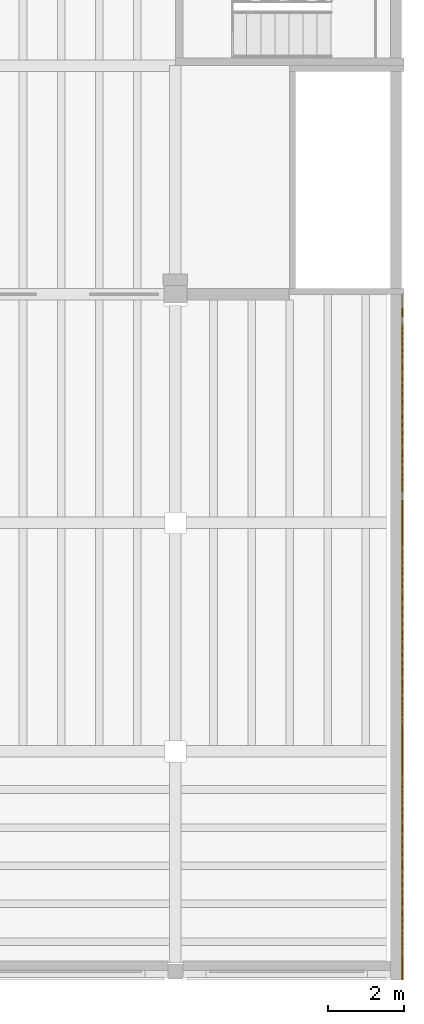
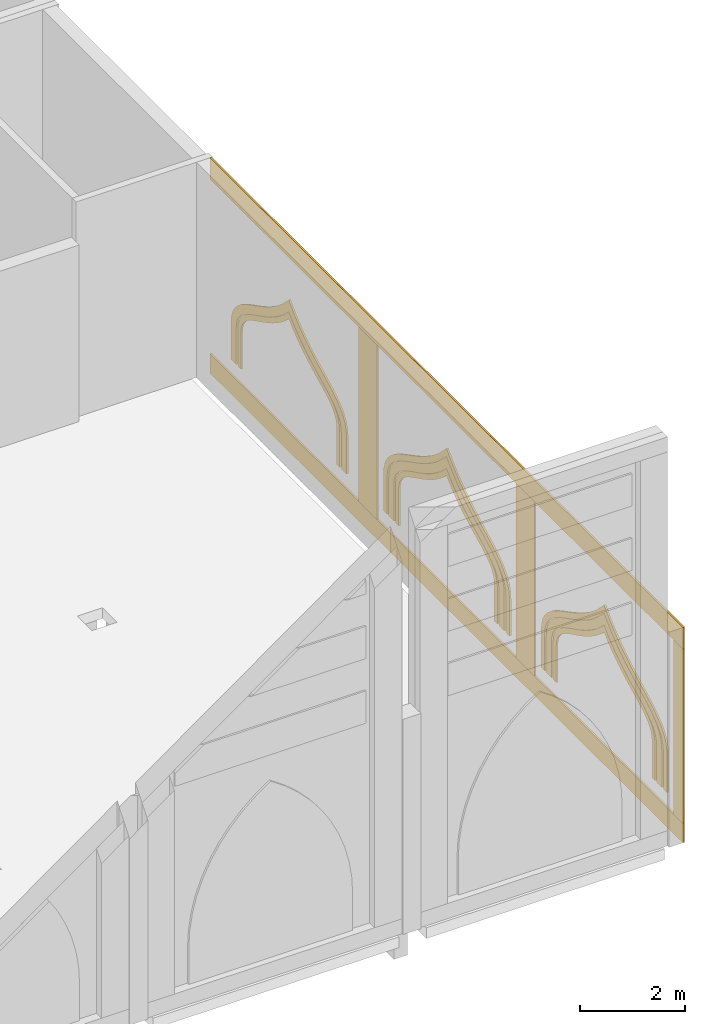
# One storey, part 67 of 80: 13 coverings.
"""IFC4 building model written with IfcOpenShell, lengths in metres."""

from ifc_helpers import new_model, si_unit, direction, frame, origin, origin_2d, place, context, subcontext, project, spatial, polyline, rectangle, outline, extrude, material, layer, layer_set, type_object, element, save


model = new_model("IFC4")

# Units and contexts
model_context = context("Model", 3, precision=1e-05, world=origin(), true_north=direction((0.0, 1.0)))
body_context = subcontext(model_context, "Body", "Model", "MODEL_VIEW")
ifc_project = project(units=[si_unit("LENGTHUNIT", "METRE"), si_unit("AREAUNIT", "SQUARE_METRE"), si_unit("VOLUMEUNIT", "CUBIC_METRE"), si_unit("PLANEANGLEUNIT", "RADIAN"), si_unit("MASSUNIT", "GRAM", prefix="KILO")], contexts=[model_context])

# Site, building, storey
site_placement = place(None, origin())
site = spatial("IfcSite", under=ifc_project, at=site_placement, CompositionType="ELEMENT")
building_placement = place(site_placement, origin())
building = spatial("IfcBuilding", under=site, at=building_placement, Name="Saffron Lane Theatres", CompositionType="ELEMENT")
storey_placement = place(building_placement, frame((0.0, 0.0, 7.0)))
storey = spatial("IfcBuildingStorey", under=building, at=storey_placement, Name="L01", CompositionType="ELEMENT", Elevation=7.0)

# Coverings
ifc_material_1 = material(Name="Face brick cladding, pale buff", Category="masonry")
ifc_layer_1 = layer(ifc_material_1, 0.0400390625)
ifc_layer_set_1 = layer_set([ifc_layer_1], Name="Face brick cladding, pale buff")
covering_type_1 = type_object("IfcCoveringType", Name="EX-FACE BRICK SKIN PALE BUFF 40", PredefinedType="CLADDING", material=ifc_layer_set_1)
covering_1_placement = place(storey_placement, frame((65.9599609375, 9.0, 0.0), z_axis=(0.0, 0.0, 1.0), x_axis=(0.0, 1.0, 0.0)))
element("IfcCovering", 1, at=covering_1_placement, inside=storey, type_object=covering_type_1, Name="Face brick cladding, pale buff L01", PredefinedType="CLADDING", context=body_context, shape_type="SweptSolid", body=[
    extrude(rectangle(XDim=18.0, YDim=0.0400390625, at=origin_2d()), origin(), (0.0, 0.0, 1.0), 0.449951171875),
])
covering_2_placement = place(storey_placement, frame((65.9599609375, 9.0, 4.5), z_axis=(0.0, 0.0, 1.0), x_axis=(0.0, 1.0, 0.0)))
element("IfcCovering", 2, at=covering_2_placement, inside=storey, type_object=covering_type_1, Name="Face brick cladding, pale buff L01", PredefinedType="CLADDING", context=body_context, shape_type="SweptSolid", body=[
    extrude(rectangle(XDim=18.0, YDim=0.0400390625, at=origin_2d()), origin(), (0.0, 0.0, 1.0), 0.5),
])
covering_3_placement = place(storey_placement, frame((65.9599609375, 0.175048828125, 0.4501953125), z_axis=(0.0, 0.0, 1.0), x_axis=(0.0, 1.0, 0.0)))
element("IfcCovering", 3, at=covering_3_placement, inside=storey, type_object=covering_type_1, Name="Face brick cladding, pale buff L01", PredefinedType="CLADDING", context=body_context, shape_type="SweptSolid", body=[
    extrude(rectangle(XDim=0.35009765625, YDim=0.0400390625, at=origin_2d()), origin(), (0.0, 0.0, 1.0), 4.050048828125),
])
for number, where, z_axis, x_axis, name in (
    (4, (65.9599609375, 6.0, 0.4501953125), (0.0, 0.0, 1.0), (0.0, 1.0, 0.0), "Face brick cladding, pale buff L01"),
    (5, (65.9599609375, 12.0, 0.4501953125), (0.0, 0.0, 1.0), (0.0, 1.0, 0.0), "Face brick cladding, pale buff L01"),
):
    element("IfcCovering", number, at=place(storey_placement, frame(where, z_axis=z_axis, x_axis=x_axis)), inside=storey, type_object=covering_type_1, Name=name, PredefinedType="CLADDING", context=body_context, shape_type="SweptSolid", body=[
        extrude(rectangle(XDim=0.699951171875, YDim=0.0400390625, at=origin_2d()), origin(), (0.0, 0.0, 1.0), 4.050048828125),
    ])
ifc_material_2 = material(Name="Face brick cladding, pale buff", Category="masonry")
ifc_layer_2 = layer(ifc_material_2, 0.0400390625)
ifc_layer_set_2 = layer_set([ifc_layer_2], Name="Face brick cladding, pale buff")
covering_type_2 = type_object("IfcCoveringType", Name="EX-NICHE FRAME RING FACE BRICK PALE BUFF", PredefinedType="CLADDING", material=ifc_layer_set_2)
covering_4_placement = place(storey_placement, frame((65.93994140625, 1.06005859375, 1.653076171875), z_axis=(-1.0, 0.0, 0.0), x_axis=(0.0, 0.099876874266, 0.994999804013)))
element("IfcCovering", 6, at=covering_4_placement, inside=storey, type_object=covering_type_2, Name="Court wall niche ring", PredefinedType="CLADDING", context=body_context, shape_type="SweptSolid", body=[
    extrude(outline(polyline([(0.0, 0.0), (0.12955404561894843, 0.0), (0.2497165696687542, 0.02621556314756866), (0.35832475713464534, 0.0766554825965173), (0.4560332954801446, 0.14806426397447273), (0.545415847158482, 0.23674842101498333), (0.629993370116488, 0.33867401156754484), (0.7107863118552822, 0.45422933937018484), (0.7928219175708685, 0.5797199980054137), (0.8766094908627686, 0.7128865565994715), (0.966084517720423, 0.8538247108603083), (1.0620958374763683, 0.9987687426649909), (1.1672911847423917, 1.1472075081119215), (1.284900749737322, 1.2970991920478225), (1.4163567475517749, 1.4456009878408547), (1.5628006255483649, 1.5918622158564055), (1.7737061445861615, 1.7716477667142003), (1.602741621653962, 1.9897649695121649), (1.48828955494586, 2.162214616219664), (1.3889716724349337, 2.3338812143938426), (1.3035002227435304, 2.5041579244251517), (1.2299065427258913, 2.670543315716844), (1.1646190661280977, 2.831678325185822), (1.104941290333349, 2.9875882569856316), (1.0492928559339147, 3.134751233018403), (0.9938358129503803, 3.274043237072293), (0.9376219457381072, 3.403351142288582), (0.8749900250359238, 3.520053438360064), (0.8050171393527361, 3.6247335010448185), (0.7234508106665197, 3.7141376762725486), (0.6270346244538634, 3.785157693836958), (0.5144799091860761, 3.8347331313857245), (0.38751056783281335, 3.860482638032556), (-0.46125147201652905, 3.94568034279016), (-0.47322401724720553, 3.826406684643043), (0.369465025751469, 3.7418185799481005), (0.4779246088247263, 3.7198900004864806), (0.5665061690245021, 3.6808180870362555), (0.6429831423196513, 3.6238225515172187), (0.711121246833107, 3.549752233261906), (0.7722082339425219, 3.4592139718798656), (0.8297903657482713, 3.3508703278373937), (0.8836987945348853, 3.227928027501851), (0.9375050865562837, 3.0917461339563324), (0.9929106010816914, 2.9446075419260676), (1.0527337607404408, 2.787701546627645), (1.1194046844238374, 2.623237890778774), (1.1948188832701196, 2.452989245354123), (1.2836649868933148, 2.2772210739281493), (1.3855312277039264, 2.099164486870719), (1.5061998348246213, 1.9202020111163973), (1.6085206302479953, 1.7882288884185995), (1.4820109043382035, 1.679225496081896), (1.32818005380871, 1.527816943159885), (1.1929564975692482, 1.3735591425487692), (1.0709481505372547, 1.2189562852984104), (0.9632007643673937, 1.0670931777636374), (0.8651720134606774, 0.9191618756141529), (0.7753565307189705, 0.7772764258597157), (0.691811877301097, 0.6440854832631513), (0.6120122386078021, 0.5213147910961914), (0.5347439354199902, 0.41153985211414157), (0.45689869753136475, 0.31801708084041325), (0.37891359668496644, 0.24021186952193999), (0.2974130587979655, 0.18116209681061266), (0.21113371649521562, 0.14050384297091023), (0.11655369167884827, 0.11981746741056327), (0.0058995483800086505, 0.11988325820977884), (-0.8367894946186659, 0.20447136290472157), (-0.8487620398493424, 0.08519770475760445), (0.0, 0.0)])), origin(), (0.0, 0.0, -1.0), 0.0400390625),
])
covering_5_placement = place(storey_placement, frame((65.93994140625, 0.800048828125, 1.655029296875), z_axis=(-1.0, 0.0, 0.0), x_axis=(0.0, 0.097602498656, 0.995225478098)))
element("IfcCovering", 7, at=covering_5_placement, inside=storey, type_object=covering_type_2, Name="Court wall niche ring", PredefinedType="CLADDING", context=body_context, shape_type="SweptSolid", body=[
    extrude(outline(polyline([(0.0, 0.0), (0.15258398432499873, 1.734723475976807e-18), (0.29645993322143693, 0.031272675590742816), (0.42680155125957014, 0.0896304195681118), (0.5423986512082086, 0.17273879716981205), (0.6477579890667828, 0.27402303070438017), (0.7455808058629483, 0.39101040061938547), (0.8397117312704844, 0.5203801187765632), (0.9321183937863253, 0.662184530265965), (1.0282032754657822, 0.8114781959827291), (1.1289621049248337, 0.9684087759570008), (1.2382156831022364, 1.1294125070802765), (1.357688663524685, 1.2945655631776314), (1.4896486823694093, 1.459475253669747), (1.6372544142495142, 1.6238318050013187), (1.8037168788681561, 1.7853578151201082), (2.0688627291888095, 2.007610379858595), (1.8519462385555683, 2.2771391548835567), (1.7200354397208926, 2.467926851611112), (1.6071720035049413, 2.657827806887796), (1.5097636504441834, 2.8452318232420244), (1.4246517059255135, 3.030448674229103), (1.3487583567809058, 3.209609901440229), (1.2804066069537123, 3.3831252809908046), (1.2151561083945674, 3.5482412267631225), (1.1520587899575392, 3.7052960286675165), (1.0848543351264734, 3.850488026880248), (1.0116227728744827, 3.9842508262517446), (0.9279475838872251, 4.104073815634537), (0.8306986099066238, 4.2080561651167585), (0.7142968018571942, 4.2918387787291215), (0.5791183412443062, 4.349251967275562), (0.4294414625921653, 4.378894913644702), (-0.42145688318431607, 4.462343143696736), (-0.44097261716850117, 4.263346643071111), (0.399963754828187, 4.180875391155038), (0.519311732050513, 4.157150565041714), (0.615662245530231, 4.116546791196799), (0.6983006892264692, 4.056190949192467), (0.77276314236467, 3.977502606620111), (0.8416270146773671, 3.8792477475135207), (0.9062786697809234, 3.7605544745518387), (0.968266584816861, 3.624705293643291), (1.0300158218675641, 3.473915495875056), (1.0941467605156083, 3.3098905936588103), (1.1635227553138088, 3.134312270671207), (1.2418314006657907, 2.949762624264784), (1.3294348152169098, 2.757432700555713), (1.432764804248489, 2.56037140572199), (1.5516975364654069, 2.3598174433498347), (1.691526116122866, 2.157214209765664), (1.7901704383248391, 2.0349419389304635), (1.669651337371362, 1.934163187086392), (1.4931265057778282, 1.7625849665027211), (1.337497521624836, 1.5889574747070354), (1.1978525404175568, 1.415724914896738), (1.0745536808013472, 1.2440783331879997), (0.9618839995455866, 1.0782580725099888), (0.8597196653551532, 0.9195028364489235), (0.7649449734669844, 0.7710619269379977), (0.6750778290886398, 0.6351412598243799), (0.5878791123979186, 0.5139229222202154), (0.501400336012905, 0.4100511224431035), (0.4147602273727329, 0.32704665375150543), (0.3264294504508987, 0.26432356364484505), (0.23363996563468137, 0.2211720683274247), (0.13123695345901337, 0.20006019973167052), (0.009553760204391889, 0.19997347876158528), (-0.8313826117922963, 0.2824447306776592), (-0.8508983457764814, 0.08344823005203435), (0.0, 0.0)])), origin(), (0.0, 0.0, -1.0), 0.0400390625),
])
covering_6_placement = place(storey_placement, frame((65.93994140625, 0.60009765625, 1.653076171875), z_axis=(-1.0, 0.0, 0.0), x_axis=(0.0, 0.095154505176, 0.99546251569)))
element("IfcCovering", 8, at=covering_6_placement, inside=storey, type_object=covering_type_2, Name="Court wall niche ring", PredefinedType="CLADDING", context=body_context, shape_type="SweptSolid", body=[
    extrude(outline(polyline([(0.0, 0.0), (0.16677235193015855, 0.0), (0.32047811465792414, 0.032641454919435056), (0.4590908231729695, 0.0946845225504361), (0.5839400100746629, 0.18207805987853046), (0.6988087674501847, 0.29078164592633693), (0.8063811785848192, 0.41808617932202474), (0.9105332598872079, 0.5609233704511917), (1.0145852688434076, 0.715542293337932), (1.1229582587475542, 0.8820108542171596), (1.235986399755671, 1.0561278015551183), (1.3596293574845506, 1.2360971941389518), (1.4949396785753588, 1.4201016466816205), (1.6451107430752343, 1.605628628491308), (1.814574326315404, 1.7902924863151148), (2.003537721012975, 1.9711303639033744), (2.2729968091763255, 2.193569745407349), (2.0505574276723513, 2.4630288335707), (1.899274845327305, 2.6763902236703863), (1.7678637717255044, 2.889814158986441), (1.6555593682210754, 3.100430707590657), (1.5575581621969465, 3.3067369972840184), (1.4702486141594036, 3.506870967624936), (1.3922529423421661, 3.6992475441300243), (1.317379170324789, 3.8832323396046915), (1.2445032712188282, 4.0547634889973745), (1.169297116051609, 4.2147452174361355), (1.0877899770868467, 4.36012353135603), (0.995594754147862, 4.488619997875076), (0.8895627423420656, 4.598083061550211), (0.7653068414927785, 4.68623428949945), (0.6204753514645593, 4.7464313797445), (0.45672303998189034, 4.778025649041314), (-0.39243370558018253, 4.859195043837689), (-0.40574511462950213, 4.719937226090961), (0.4373358099139526, 4.639348608303719), (0.5794010143725186, 4.6117893989657395), (0.6963212548449152, 4.562353659948372), (0.797934000362758, 4.491327312240725), (0.8884637335401684, 4.39928755883957), (0.9690326942594091, 4.285146112980101), (1.0446873879782967, 4.150382615780968), (1.1174078175464282, 3.997750843768552), (1.1885949958104496, 3.8290789042669844), (1.2617335848251565, 3.6474672530019423), (1.3414876707254295, 3.4529605651279733), (1.4296174546004858, 3.2485788810925684), (1.5307995316284795, 3.0370634683788333), (1.6466547164164358, 2.819976170389789), (1.7812806141395585, 2.5991325854062923), (1.938844523214147, 2.3770774102314363), (2.075897175332353, 2.2124101515836108), (1.9101309078826303, 2.076688819070955), (1.7133529351514076, 1.8885045590687133), (1.5393271251287282, 1.6971644461491542), (1.3844437253270598, 1.505956571687059), (1.2450232900177747, 1.3174399285349754), (1.1197702397189615, 1.1334551330603078), (1.004611987341964, 0.9575797716393137), (0.8983923398870634, 0.7931126576838663), (0.7965401355408397, 0.6409812474023956), (0.6962211824987262, 0.5048900046100767), (0.5964061651999217, 0.3868993474346942), (0.4957655510450578, 0.29106041889072065), (0.389345758897779, 0.21686570922248327), (0.27611747319728386, 0.1663756365577664), (0.15194913565091217, 0.13998512926278028), (0.00723558803070144, 0.13983859475586066), (-0.8358453365127533, 0.22042721254310266), (-0.8491567455620729, 0.08116939479637461), (0.0, 0.0)])), origin(), (0.0, 0.0, -1.0), 0.0400390625),
])
covering_7_placement = place(storey_placement, frame((65.93994140625, 7.06005859375, 1.653076171875), z_axis=(-1.0, 0.0, 0.0), x_axis=(0.0, 0.099876874266, 0.994999804013)))
element("IfcCovering", 9, at=covering_7_placement, inside=storey, type_object=covering_type_2, Name="Court wall niche ring", PredefinedType="CLADDING", context=body_context, shape_type="SweptSolid", body=[
    extrude(outline(polyline([(0.0, 0.0), (0.12955404561894843, 0.0), (0.2497165696687542, 0.02621556314756866), (0.35832475713464534, 0.0766554825965173), (0.4560332954801446, 0.14806426397447273), (0.545415847158482, 0.23674842101498333), (0.629993370116488, 0.33867401156754484), (0.7107863118552822, 0.45422933937018484), (0.7928219175708685, 0.5797199980054137), (0.8766094908627686, 0.7128865565994715), (0.966084517720423, 0.8538247108603083), (1.0620958374763683, 0.9987687426649909), (1.1672911847423917, 1.1472075081119215), (1.284900749737322, 1.2970991920478225), (1.4163567475517749, 1.4456009878408547), (1.5628006255483649, 1.5918622158564055), (1.7737061445861615, 1.7716477667142003), (1.602741621653962, 1.9897649695121649), (1.48828955494586, 2.162214616219664), (1.3889716724349337, 2.3338812143938426), (1.3035002227435304, 2.5041579244251517), (1.2299065427258913, 2.670543315716844), (1.1646190661280977, 2.831678325185822), (1.104941290333349, 2.9875882569856316), (1.0492928559339147, 3.134751233018403), (0.9938358129503803, 3.274043237072293), (0.9376219457381072, 3.403351142288582), (0.8749900250359238, 3.520053438360064), (0.8050171393527361, 3.6247335010448185), (0.7234508106665197, 3.7141376762725486), (0.6270346244538634, 3.785157693836958), (0.5144799091860761, 3.8347331313857245), (0.38751056783281335, 3.860482638032556), (-0.46125147201652905, 3.94568034279016), (-0.47322401724720553, 3.826406684643043), (0.369465025751469, 3.7418185799481005), (0.4779246088247263, 3.7198900004864806), (0.5665061690245021, 3.6808180870362555), (0.6429831423196513, 3.6238225515172187), (0.711121246833107, 3.549752233261906), (0.7722082339425219, 3.4592139718798656), (0.8297903657482713, 3.3508703278373937), (0.8836987945348853, 3.227928027501851), (0.9375050865562837, 3.0917461339563324), (0.9929106010816914, 2.9446075419260676), (1.0527337607404408, 2.787701546627645), (1.1194046844238374, 2.623237890778774), (1.1948188832701196, 2.452989245354123), (1.2836649868933148, 2.2772210739281493), (1.3855312277039264, 2.099164486870719), (1.5061998348246213, 1.9202020111163973), (1.6085206302479953, 1.7882288884185995), (1.4820109043382035, 1.679225496081896), (1.32818005380871, 1.527816943159885), (1.1929564975692482, 1.3735591425487692), (1.0709481505372547, 1.2189562852984104), (0.9632007643673937, 1.0670931777636374), (0.8651720134606774, 0.9191618756141529), (0.7753565307189705, 0.7772764258597157), (0.691811877301097, 0.6440854832631513), (0.6120122386078021, 0.5213147910961914), (0.5347439354199902, 0.41153985211414157), (0.4567767775188324, 0.3168024814702797), (0.37891359668496644, 0.24021186952193999), (0.2974130587979655, 0.18116209681061266), (0.21113371649521562, 0.14050384297091023), (0.11655369167884827, 0.11981746741056327), (0.0058995483800086505, 0.11988325820977884), (-0.8367894946186659, 0.20447136290472157), (-0.8487620398493424, 0.08519770475760445), (0.0, 0.0)])), origin(), (0.0, 0.0, -1.0), 0.0400390625),
])
covering_8_placement = place(storey_placement, frame((65.93994140625, 6.800048828125, 1.655029296875), z_axis=(-1.0, 0.0, 0.0), x_axis=(0.0, 0.097602498656, 0.995225478098)))
element("IfcCovering", 10, at=covering_8_placement, inside=storey, type_object=covering_type_2, Name="Court wall niche ring", PredefinedType="CLADDING", context=body_context, shape_type="SweptSolid", body=[
    extrude(outline(polyline([(0.0, 0.0), (0.15258398432499873, 1.734723475976807e-18), (0.2963407895463198, 0.030057800739548526), (0.42680155125957014, 0.0896304195681118), (0.5423986512082086, 0.17273879716981205), (0.6477579890667828, 0.27402303070438017), (0.7455808058629483, 0.39101040061938547), (0.8397117312704844, 0.5203801187765632), (0.9321183937863253, 0.662184530265965), (1.0282032754657822, 0.8114781959827291), (1.1289621049248337, 0.9684087759570008), (1.2382156831022364, 1.1294125070802765), (1.357688663524685, 1.2945655631776314), (1.4896486823694093, 1.459475253669747), (1.6372544142495142, 1.6238318050013187), (1.8037168788681561, 1.7853578151201082), (2.0688627291888095, 2.007610379858595), (1.8519462385555683, 2.2771391548835567), (1.7200354397208926, 2.467926851611112), (1.6071720035049413, 2.657827806887796), (1.5097636504441834, 2.8452318232420244), (1.4246517059255135, 3.030448674229103), (1.3487583567809058, 3.209609901440229), (1.2804066069537123, 3.3831252809908046), (1.2151561083945674, 3.5482412267631225), (1.1520587899575392, 3.7052960286675165), (1.0848543351264734, 3.850488026880248), (1.0116227728744827, 3.9842508262517446), (0.9279475838872251, 4.104073815634537), (0.8306986099066238, 4.2080561651167585), (0.7141776581820771, 4.290623903877927), (0.5791183412443062, 4.349251967275562), (0.4294414625921653, 4.378894913644702), (-0.42145688318431607, 4.462343143696736), (-0.44097261716850117, 4.263346643071111), (0.399963754828187, 4.180875391155038), (0.519311732050513, 4.157150565041714), (0.615662245530231, 4.116546791196799), (0.6983006892264692, 4.056190949192467), (0.77276314236467, 3.977502606620111), (0.8416270146773671, 3.8792477475135207), (0.9062786697809234, 3.7605544745518387), (0.968266584816861, 3.624705293643291), (1.0300158218675641, 3.473915495875056), (1.0941467605156083, 3.3098905936588103), (1.1635227553138088, 3.134312270671207), (1.2418314006657907, 2.949762624264784), (1.3294348152169098, 2.757432700555713), (1.432764804248489, 2.56037140572199), (1.5516975364654069, 2.3598174433498347), (1.691526116122866, 2.157214209765664), (1.7901704383248391, 2.0349419389304635), (1.669651337371362, 1.934163187086392), (1.4931265057778282, 1.7625849665027211), (1.337497521624836, 1.5889574747070354), (1.1978525404175568, 1.415724914896738), (1.0745536808013472, 1.2440783331879997), (0.9618839995455866, 1.0782580725099888), (0.8597196653551532, 0.9195028364489235), (0.7649449734669844, 0.7710619269379977), (0.6749825141485462, 0.6341693599434245), (0.5878791123979186, 0.5139229222202154), (0.501400336012905, 0.4100511224431035), (0.4147602273727329, 0.32704665375150543), (0.3264294504508987, 0.26432356364484505), (0.23363996563468137, 0.2211720683274247), (0.13123695345901337, 0.20006019973167052), (0.009553760204391889, 0.19997347876158528), (-0.8313826117922963, 0.2824447306776592), (-0.8508983457764814, 0.08344823005203435), (0.0, 0.0)])), origin(), (0.0, 0.0, -1.0), 0.0400390625),
])
covering_9_placement = place(storey_placement, frame((65.93994140625, 6.60009765625, 1.653076171875), z_axis=(-1.0, 0.0, 0.0), x_axis=(0.0, 0.095154505176, 0.99546251569)))
element("IfcCovering", 11, at=covering_9_placement, inside=storey, type_object=covering_type_2, Name="Court wall niche ring", PredefinedType="CLADDING", context=body_context, shape_type="SweptSolid", body=[
    extrude(outline(polyline([(0.0, 0.0), (0.16677235193015855, 0.0), (0.32038519033646295, 0.031669323556456144), (0.4590908231729695, 0.0946845225504361), (0.5839400100746629, 0.18207805987853046), (0.6988087674501847, 0.29078164592633693), (0.8063811785848192, 0.41808617932202474), (0.9104171044853814, 0.559708206247468), (1.0145852688434076, 0.715542293337932), (1.1228653344260928, 0.8810387228541807), (1.235986399755671, 1.0561278015551183), (1.3596293574845506, 1.2360971941389518), (1.4949396785753588, 1.4201016466816205), (1.6451107430752343, 1.605628628491308), (1.814574326315404, 1.7902924863151148), (2.003537721012975, 1.9711303639033744), (2.2729968091763255, 2.193569745407349), (2.0505574276723513, 2.4630288335707), (1.899274845327305, 2.6763902236703863), (1.7678637717255044, 2.889814158986441), (1.6555593682210754, 3.100430707590657), (1.5575581621969465, 3.3067369972840184), (1.4702486141594036, 3.506870967624936), (1.3922529423421661, 3.6992475441300243), (1.317379170324789, 3.8832323396046915), (1.2445032712188282, 4.0547634889973745), (1.169297116051609, 4.2147452174361355), (1.0877899770868467, 4.36012353135603), (0.995594754147862, 4.488619997875076), (0.8895627423420656, 4.598083061550211), (0.7652139171713173, 4.685262158136471), (0.6204753514645593, 4.7464313797445), (0.45672303998189034, 4.778025649041314), (-0.39243370558018253, 4.859195043837689), (-0.40574511462950213, 4.719937226090961), (0.4373358099139526, 4.639348608303719), (0.5794010143725186, 4.6117893989657395), (0.6963212548449152, 4.562353659948372), (0.797934000362758, 4.491327312240725), (0.8883708092187073, 4.398315427476591), (0.9690326942594091, 4.285146112980101), (1.0446873879782967, 4.150382615780968), (1.1174078175464282, 3.997750843768552), (1.1885949958104496, 3.8290789042669844), (1.2617335848251565, 3.6474672530019423), (1.3414876707254295, 3.4529605651279733), (1.4296174546004858, 3.2485788810925684), (1.5307995316284795, 3.0370634683788333), (1.6466547164164358, 2.819976170389789), (1.7812806141395585, 2.5991325854062923), (1.938844523214147, 2.3770774102314363), (2.075897175332353, 2.2124101515836108), (1.9101309078826303, 2.076688819070955), (1.7133529351514076, 1.8885045590687133), (1.5393271251287282, 1.6971644461491542), (1.3844437253270598, 1.505956571687059), (1.2450232900177747, 1.3174399285349754), (1.1197702397189615, 1.1334551330603078), (1.004611987341964, 0.9575797716393137), (0.8983923398870634, 0.7931126576838663), (0.7965401355408397, 0.6409812474023956), (0.6962211824987262, 0.5048900046100767), (0.5964061651999217, 0.3868993474346942), (0.49567262672359663, 0.29008828752774174), (0.389345758897779, 0.21686570922248327), (0.27611747319728386, 0.1663756365577664), (0.15194913565091217, 0.13998512926278028), (0.00723558803070144, 0.13983859475586066), (-0.8358453365127533, 0.22042721254310266), (-0.8491567455620729, 0.08116939479637461), (0.0, 0.0)])), origin(), (0.0, 0.0, -1.0), 0.0400390625),
])
covering_10_placement = place(storey_placement, frame((65.93994140625, 13.06005859375, 1.653076171875), z_axis=(-1.0, 0.0, 0.0), x_axis=(0.0, 0.099876874266, 0.994999804013)))
element("IfcCovering", 12, at=covering_10_placement, inside=storey, type_object=covering_type_2, Name="Court wall niche ring", PredefinedType="CLADDING", context=body_context, shape_type="SweptSolid", body=[
    extrude(outline(polyline([(0.0, 0.0), (0.12955404561894843, 0.0), (0.2497165696687542, 0.02621556314756866), (0.35832475713464534, 0.0766554825965173), (0.4560332954801446, 0.14806426397447273), (0.545415847158482, 0.23674842101498333), (0.629993370116488, 0.33867401156754484), (0.7107863118552822, 0.45422933937018484), (0.7928219175708685, 0.5797199980054137), (0.8766094908627686, 0.7128865565994715), (0.966084517720423, 0.8538247108603083), (1.0620958374763683, 0.9987687426649909), (1.1672911847423917, 1.1472075081119215), (1.284900749737322, 1.2970991920478225), (1.4163567475517749, 1.4456009878408547), (1.5628006255483649, 1.5918622158564055), (1.7737061445861615, 1.7716477667142003), (1.602741621653962, 1.9897649695121649), (1.48828955494586, 2.162214616219664), (1.3889716724349337, 2.3338812143938426), (1.3035002227435304, 2.5041579244251517), (1.2299065427258913, 2.670543315716844), (1.1646190661280977, 2.831678325185822), (1.104941290333349, 2.9875882569856316), (1.0492928559339147, 3.134751233018403), (0.9938358129503803, 3.274043237072293), (0.9376219457381072, 3.403351142288582), (0.8749900250359238, 3.520053438360064), (0.8050171393527361, 3.6247335010448185), (0.7234508106665197, 3.7141376762725486), (0.6270346244538634, 3.785157693836958), (0.5144799091860761, 3.8347331313857245), (0.38751056783281335, 3.860482638032556), (-0.46125147201652905, 3.94568034279016), (-0.47322401724720553, 3.826406684643043), (0.369465025751469, 3.7418185799481005), (0.4779246088247263, 3.7198900004864806), (0.5665061690245021, 3.6808180870362555), (0.6429831423196513, 3.6238225515172187), (0.711121246833107, 3.549752233261906), (0.7720863139299896, 3.457999372509732), (0.8297903657482713, 3.3508703278373937), (0.8836987945348853, 3.227928027501851), (0.9375050865562837, 3.0917461339563324), (0.9929106010816914, 2.9446075419260676), (1.0527337607404408, 2.787701546627645), (1.1194046844238374, 2.623237890778774), (1.1948188832701196, 2.452989245354123), (1.2836649868933148, 2.2772210739281493), (1.3855312277039264, 2.099164486870719), (1.5061998348246213, 1.9202020111163973), (1.6085206302479953, 1.7882288884185995), (1.4820109043382035, 1.679225496081896), (1.32818005380871, 1.527816943159885), (1.1929564975692482, 1.3735591425487692), (1.0709481505372547, 1.2189562852984104), (0.9632007643673937, 1.0670931777636374), (0.8651720134606774, 0.9191618756141529), (0.7753565307189705, 0.7772764258597157), (0.691811877301097, 0.6440854832631513), (0.6120122386078021, 0.5213147910961914), (0.5347439354199902, 0.41153985211414157), (0.4567767775188324, 0.3168024814702797), (0.37891359668496644, 0.24021186952193999), (0.2974130587979655, 0.18116209681061266), (0.21113371649521562, 0.14050384297091023), (0.11655369167884827, 0.11981746741056327), (0.0058995483800086505, 0.11988325820977884), (-0.8367894946186659, 0.20447136290472157), (-0.8487620398493424, 0.08519770475760445), (0.0, 0.0)])), origin(), (0.0, 0.0, -1.0), 0.0400390625),
])
covering_11_placement = place(storey_placement, frame((65.93994140625, 12.800048828125, 1.655029296875), z_axis=(-1.0, 0.0, 0.0), x_axis=(0.0, 0.097602498656, 0.995225478098)))
element("IfcCovering", 13, at=covering_11_placement, inside=storey, type_object=covering_type_2, Name="Court wall niche ring", PredefinedType="CLADDING", context=body_context, shape_type="SweptSolid", body=[
    extrude(outline(polyline([(0.0, 0.0), (0.15258398432499873, 1.734723475976807e-18), (0.29645993322143693, 0.031272675590742816), (0.42680155125957014, 0.0896304195681118), (0.5423986512082086, 0.17273879716981205), (0.6477579890667828, 0.27402303070438017), (0.7455808058629483, 0.39101040061938547), (0.8397117312704844, 0.5203801187765632), (0.9321183937863253, 0.662184530265965), (1.0282032754657822, 0.8114781959827291), (1.1289621049248337, 0.9684087759570008), (1.2382156831022364, 1.1294125070802765), (1.357688663524685, 1.2945655631776314), (1.4896486823694093, 1.459475253669747), (1.6372544142495142, 1.6238318050013187), (1.8037168788681561, 1.7853578151201082), (2.0688627291888095, 2.007610379858595), (1.8519462385555683, 2.2771391548835567), (1.7200354397208926, 2.467926851611112), (1.6071720035049413, 2.657827806887796), (1.5097636504441834, 2.8452318232420244), (1.4246517059255135, 3.030448674229103), (1.3487583567809058, 3.209609901440229), (1.2804066069537123, 3.3831252809908046), (1.2151561083945674, 3.5482412267631225), (1.1520587899575392, 3.7052960286675165), (1.0848543351264734, 3.850488026880248), (1.0116227728744827, 3.9842508262517446), (0.9279475838872251, 4.104073815634537), (0.8306986099066238, 4.2080561651167585), (0.7141776581820771, 4.290623903877927), (0.5791183412443062, 4.349251967275562), (0.4294414625921653, 4.378894913644702), (-0.42145688318431607, 4.462343143696736), (-0.44097261716850117, 4.263346643071111), (0.399963754828187, 4.180875391155038), (0.519311732050513, 4.157150565041714), (0.615662245530231, 4.116546791196799), (0.6983006892264692, 4.056190949192467), (0.77276314236467, 3.977502606620111), (0.8416270146773671, 3.8792477475135207), (0.9062786697809234, 3.7605544745518387), (0.968266584816861, 3.624705293643291), (1.0300158218675641, 3.473915495875056), (1.0941467605156083, 3.3098905936588103), (1.1635227553138088, 3.134312270671207), (1.2418314006657907, 2.949762624264784), (1.3294348152169098, 2.757432700555713), (1.432764804248489, 2.56037140572199), (1.5516975364654069, 2.3598174433498347), (1.691526116122866, 2.157214209765664), (1.7901704383248391, 2.0349419389304635), (1.669651337371362, 1.934163187086392), (1.4931265057778282, 1.7625849665027211), (1.337497521624836, 1.5889574747070354), (1.1978525404175568, 1.415724914896738), (1.0745536808013472, 1.2440783331879997), (0.9618839995455866, 1.0782580725099888), (0.8597196653551532, 0.9195028364489235), (0.7649449734669844, 0.7710619269379977), (0.6750778290886398, 0.6351412598243799), (0.5878791123979186, 0.5139229222202154), (0.501400336012905, 0.4100511224431035), (0.4147602273727329, 0.32704665375150543), (0.3264294504508987, 0.26432356364484505), (0.23363996563468137, 0.2211720683274247), (0.13123695345901337, 0.20006019973167052), (0.009553760204391889, 0.19997347876158528), (-0.8313826117922963, 0.2824447306776592), (-0.8508983457764814, 0.08344823005203435), (0.0, 0.0)])), origin(), (0.0, 0.0, -1.0), 0.0400390625),
])

save(model, "model.ifc")
